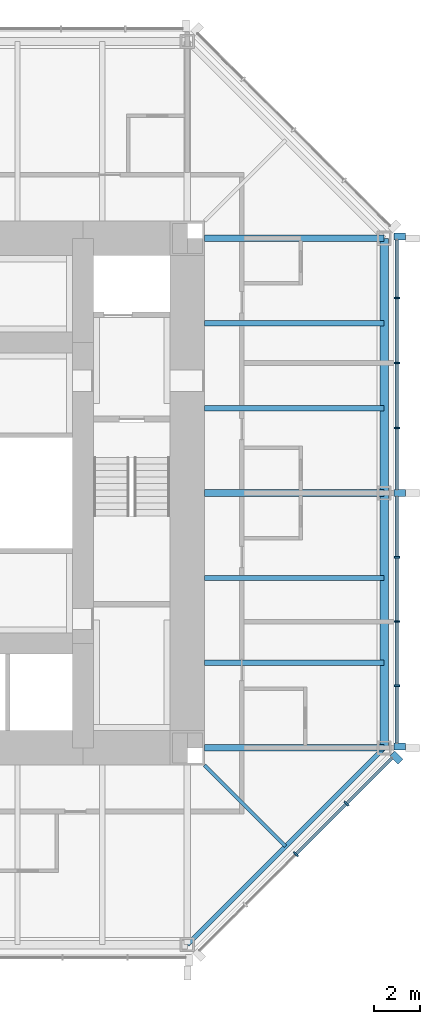
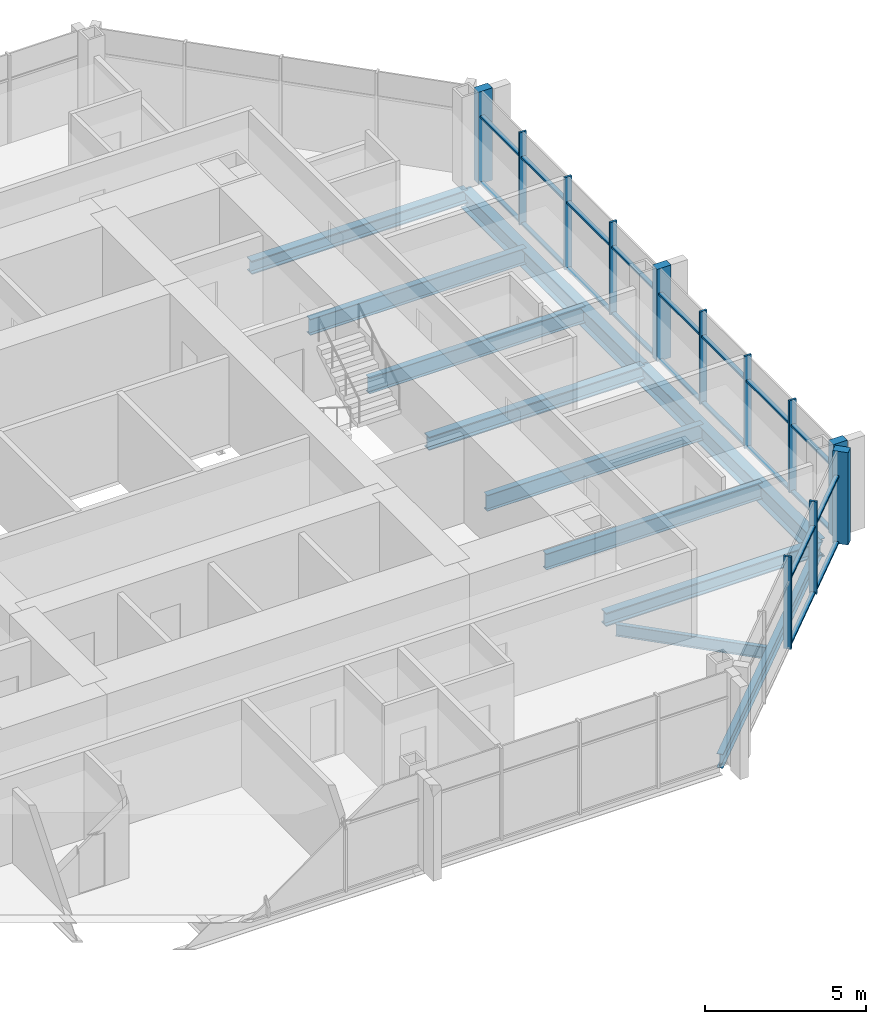
# One storey, part 4 of 11: 32 members, 11 beams, 2 elements without a shape of their own.
"""IFC4 building model written with IfcOpenShell, lengths in metres."""

from ifc_helpers import new_model, si_unit, direction, frame, origin, origin_2d, place, context, subcontext, project, spatial, rectangle, i_section, extrude, material, material_profile, profile_set, type_object, element, aggregate, save


model = new_model("IFC4")

# Units and contexts
model_context = context("Model", 3, precision=1e-05, world=origin(), true_north=direction((0.0, 1.0)))
body_context = subcontext(model_context, "Body", "Model", "MODEL_VIEW")
ifc_project = project(units=[si_unit("LENGTHUNIT", "METRE"), si_unit("AREAUNIT", "SQUARE_METRE"), si_unit("VOLUMEUNIT", "CUBIC_METRE"), si_unit("PLANEANGLEUNIT", "RADIAN"), si_unit("MASSUNIT", "GRAM", prefix="KILO")], contexts=[model_context])

# Site, building, storey
site_placement = place(None, origin())
site = spatial("IfcSite", under=ifc_project, at=site_placement, CompositionType="ELEMENT")
building_placement = place(site_placement, origin())
building = spatial("IfcBuilding", under=site, at=building_placement, Name="Trevanion Tower", CompositionType="ELEMENT")
storey_placement = place(building_placement, frame((0.0, 0.0, 211.699951171875)))
storey = spatial("IfcBuildingStorey", under=building, at=storey_placement, Name="L50", CompositionType="ELEMENT", Elevation=211.699951171875)

# Beams
ifc_material_1 = material(Name="Steel ASTM A992 Grade 50", Category="steel")
ifc_material_profile_1 = material_profile(ifc_material_1, i_section(OverallWidth=0.228271484375, OverallDepth=0.607177734375, WebThickness=0.01123046875, FlangeThickness=0.017333984375, at=origin_2d()), Name="W24X76")
ifc_profile_set_1 = profile_set([ifc_material_profile_1], Name="Steel ASTM A992 Grade 50")
beam_type_1 = type_object("IfcBeamType", Name="B11 W24X76", PredefinedType="BEAM", material=ifc_profile_set_1)
for number, where, z_axis, x_axis, name in (
    (1, (11.75, -7.333251953125, -0.493408203125), (1.0, 0.0, 0.0), (0.0, 1.0, 0.0), "B11 L50"),
    (2, (11.75, -3.666748046875, -0.493408203125), (1.0, 0.0, 0.0), (0.0, 1.0, 0.0), "B11 L50"),
    (3, (11.75, 3.666748046875, -0.493408203125), (1.0, 0.0, 0.0), (0.0, 1.0, 0.0), "B11 L50"),
    (4, (11.75, 7.333251953125, -0.493408203125), (1.0, 0.0, 0.0), (0.0, 1.0, 0.0), "B11 L50"),
):
    element("IfcBeam", number, at=place(storey_placement, frame(where, z_axis=z_axis, x_axis=x_axis)), inside=storey, type_object=beam_type_1, Name=name, PredefinedType="BEAM", context=body_context, shape_type="SweptSolid", body=[
        extrude(i_section(OverallWidth=0.228271484375, OverallDepth=0.607177734375, WebThickness=0.01123046875, FlangeThickness=0.017333984375, at=origin_2d()), origin(), (0.0, 0.0, 1.0), 7.75),
    ])
ifc_material_2 = material(Name="Steel ASTM A992 Grade 50", Category="steel")
ifc_material_profile_2 = material_profile(ifc_material_2, i_section(OverallWidth=0.15234375, OverallDepth=0.449462890625, WebThickness=0.007568359375, FlangeThickness=0.0107421875, at=origin_2d()), Name="W18X35")
ifc_profile_set_2 = profile_set([ifc_material_profile_2], Name="Steel ASTM A992 Grade 50")
beam_type_2 = type_object("IfcBeamType", Name="B12 W18X35", PredefinedType="BEAM", material=ifc_profile_set_2)
beam_1_placement = place(storey_placement, frame((11.75, -11.75, -0.414794921875), z_axis=(0.707106781187, -0.707106781187, 0.0), x_axis=(0.707106781187, 0.707106781187, 0.0)))
element("IfcBeam", 5, at=beam_1_placement, inside=storey, type_object=beam_type_2, Name="B12 L50", PredefinedType="BEAM", context=body_context, shape_type="SweptSolid", body=[
    extrude(i_section(OverallWidth=0.15234375, OverallDepth=0.449462890625, WebThickness=0.007568359375, FlangeThickness=0.0107421875, at=origin_2d()), origin(), (0.0, 0.0, 1.0), 4.94970703125),
])

# Curtain wall, members
ifc_material_3 = material(Name="Aluminium and glass", Category="aluminium")
curtain_wall_type = type_object("IfcCurtainWallType", Name="CW3 curtain wall", PredefinedType="USERDEFINED", material=ifc_material_3)
curtain_wall_1_placement = place(storey_placement, origin())
curtain_wall_1 = element("IfcCurtainWall", 6, at=curtain_wall_1_placement, inside=storey, type_object=curtain_wall_type, Name="CW3 L50 0", ObjectType="UNITISED CURTAIN WALL", PredefinedType="USERDEFINED")
ifc_material_4 = material(Name="Aluminium extrusion, anodised bronze", Category="aluminium")
ifc_material_profile_3 = material_profile(ifc_material_4, rectangle(XDim=0.074951171875, YDim=0.25, at=origin_2d()), Name="CW3 mullion")
ifc_profile_set_3 = profile_set([ifc_material_profile_3], Name="Aluminium extrusion, anodised bronze")
member_type_1 = type_object("IfcMemberType", Name="CW3 mullion", PredefinedType="MULLION", material=ifc_profile_set_3)
member_1_placement = place(storey_placement, frame((20.050048828125, -8.323486328125, -0.18994140625), z_axis=(0.0, 0.0, 1.0), x_axis=(0.0, 1.0, 0.0)))
member_1 = element("IfcMember", 7, at=member_1_placement, type_object=member_type_1, Name="CW3 mullion 2", PredefinedType="MULLION", context=body_context, shape_type="SweptSolid", body=[
    extrude(rectangle(XDim=0.074951171875, YDim=0.25, at=origin_2d()), origin(), (0.0, 0.0, 1.0), 3.5),
])
member_2_placement = place(storey_placement, frame((20.050048828125, -5.548828125, -0.18994140625), z_axis=(0.0, 0.0, 1.0), x_axis=(0.0, 1.0, 0.0)))
member_2 = element("IfcMember", 8, at=member_2_placement, type_object=member_type_1, Name="CW3 mullion 3", PredefinedType="MULLION", context=body_context, shape_type="SweptSolid", body=[
    extrude(rectangle(XDim=0.074951171875, YDim=0.25, at=origin_2d()), origin(), (0.0, 0.0, 1.0), 3.5),
])
member_3_placement = place(storey_placement, frame((20.050048828125, -2.7744140625, -0.18994140625), z_axis=(0.0, 0.0, 1.0), x_axis=(0.0, 1.0, 0.0)))
member_3 = element("IfcMember", 9, at=member_3_placement, type_object=member_type_1, Name="CW3 mullion 4", PredefinedType="MULLION", context=body_context, shape_type="SweptSolid", body=[
    extrude(rectangle(XDim=0.074951171875, YDim=0.25, at=origin_2d()), origin(), (0.0, 0.0, 1.0), 3.5),
])
member_4_placement = place(storey_placement, frame((20.050048828125, 2.806884765625, -0.18994140625), z_axis=(0.0, 0.0, 1.0), x_axis=(0.0, 1.0, 0.0)))
member_4 = element("IfcMember", 10, at=member_4_placement, type_object=member_type_1, Name="CW3 mullion 6", PredefinedType="MULLION", context=body_context, shape_type="SweptSolid", body=[
    extrude(rectangle(XDim=0.074951171875, YDim=0.25, at=origin_2d()), origin(), (0.0, 0.0, 1.0), 3.5),
])
member_5_placement = place(storey_placement, frame((20.050048828125, 5.614013671875, -0.18994140625), z_axis=(0.0, 0.0, 1.0), x_axis=(0.0, 1.0, 0.0)))
member_5 = element("IfcMember", 11, at=member_5_placement, type_object=member_type_1, Name="CW3 mullion 7", PredefinedType="MULLION", context=body_context, shape_type="SweptSolid", body=[
    extrude(rectangle(XDim=0.074951171875, YDim=0.25, at=origin_2d()), origin(), (0.0, 0.0, 1.0), 3.5),
])
member_6_placement = place(storey_placement, frame((20.050048828125, 8.4208984375, -0.18994140625), z_axis=(0.0, 0.0, 1.0), x_axis=(0.0, 1.0, 0.0)))
member_6 = element("IfcMember", 12, at=member_6_placement, type_object=member_type_1, Name="CW3 mullion 8", PredefinedType="MULLION", context=body_context, shape_type="SweptSolid", body=[
    extrude(rectangle(XDim=0.074951171875, YDim=0.25, at=origin_2d()), origin(), (0.0, 0.0, 1.0), 3.5),
])

curtain_wall_2_placement = place(storey_placement, origin())
curtain_wall_2 = element("IfcCurtainWall", 13, at=curtain_wall_2_placement, inside=storey, type_object=curtain_wall_type, Name="CW3 L50 7", ObjectType="UNITISED CURTAIN WALL", PredefinedType="USERDEFINED")
member_7_placement = place(storey_placement, frame((15.684814453125, -15.593017578125, -0.18994140625), z_axis=(0.0, 0.0, 1.0), x_axis=(0.707106781187, 0.707106781187, 0.0)))
member_7 = element("IfcMember", 14, at=member_7_placement, type_object=member_type_1, Name="CW3 mullion 3", PredefinedType="MULLION", context=body_context, shape_type="SweptSolid", body=[
    extrude(rectangle(XDim=0.074951171875, YDim=0.25, at=origin_2d()), origin(), (0.0, 0.0, 1.0), 3.5),
])
member_8_placement = place(storey_placement, frame((17.867431640625, -13.410400390625, -0.18994140625), z_axis=(0.0, 0.0, 1.0), x_axis=(0.707106781187, 0.707106781187, 0.0)))
member_8 = element("IfcMember", 15, at=member_8_placement, type_object=member_type_1, Name="CW3 mullion 4", PredefinedType="MULLION", context=body_context, shape_type="SweptSolid", body=[
    extrude(rectangle(XDim=0.074951171875, YDim=0.25, at=origin_2d()), origin(), (0.0, 0.0, 1.0), 3.5),
])

# Member
ifc_material_5 = material(Name="Aluminium extrusion, anodised bronze", Category="aluminium")
ifc_material_profile_4 = material_profile(ifc_material_5, rectangle(XDim=0.300048828125, YDim=0.5, at=origin_2d()), Name="CW3 pier mullion")
ifc_profile_set_4 = profile_set([ifc_material_profile_4], Name="Aluminium extrusion, anodised bronze")
member_type_2 = type_object("IfcMemberType", Name="CW3 pier mullion", PredefinedType="MULLION", material=ifc_profile_set_4)
member_9_placement = place(storey_placement, frame((20.175048828125, -10.94775390625, -0.18994140625), z_axis=(0.0, 0.0, 1.0), x_axis=(0.0, 1.0, 0.0)))
member_9 = element("IfcMember", 16, at=member_9_placement, type_object=member_type_2, Name="CW3 pier mullion 1", PredefinedType="MULLION", context=body_context, shape_type="SweptSolid", body=[
    extrude(rectangle(XDim=0.300048828125, YDim=0.5, at=origin_2d()), origin(), (0.0, 0.0, 1.0), 3.5),
])

member_10_placement = place(storey_placement, frame((20.175048828125, 0.0, -0.18994140625), z_axis=(0.0, 0.0, 1.0), x_axis=(0.0, 1.0, 0.0)))
member_10 = element("IfcMember", 17, at=member_10_placement, type_object=member_type_2, Name="CW3 pier mullion 5", PredefinedType="MULLION", context=body_context, shape_type="SweptSolid", body=[
    extrude(rectangle(XDim=0.300048828125, YDim=0.5, at=origin_2d()), origin(), (0.0, 0.0, 1.0), 3.5),
])

member_11_placement = place(storey_placement, frame((20.175048828125, 11.077880859375, -0.18994140625), z_axis=(0.0, 0.0, 1.0), x_axis=(0.0, 1.0, 0.0)))
member_11 = element("IfcMember", 18, at=member_11_placement, type_object=member_type_2, Name="CW3 pier mullion 9", PredefinedType="MULLION", context=body_context, shape_type="SweptSolid", body=[
    extrude(rectangle(XDim=0.300048828125, YDim=0.5, at=origin_2d()), origin(), (0.0, 0.0, 1.0), 3.5),
])

member_12_placement = place(storey_placement, frame((20.0322265625, -11.42236328125, -0.18994140625), z_axis=(0.0, 0.0, 1.0), x_axis=(0.707106781187, 0.707106781187, 0.0)))
member_12 = element("IfcMember", 19, at=member_12_placement, type_object=member_type_2, Name="CW3 pier mullion 5", PredefinedType="MULLION", context=body_context, shape_type="SweptSolid", body=[
    extrude(rectangle(XDim=0.300048828125, YDim=0.5, at=origin_2d()), origin(), (0.0, 0.0, 1.0), 3.5),
])

ifc_material_6 = material(Name="Aluminium extrusion, anodised bronze", Category="aluminium")
ifc_material_profile_5 = material_profile(ifc_material_6, rectangle(XDim=0.14990234375, YDim=0.074951171875, at=origin_2d()), Name="CW3 transom")
ifc_profile_set_5 = profile_set([ifc_material_profile_5], Name="Aluminium extrusion, anodised bronze")
member_type_3 = type_object("IfcMemberType", Name="CW3 transom", PredefinedType="USERDEFINED", material=ifc_profile_set_5)
member_13_placement = place(storey_placement, frame((20.050048828125, -10.7978515625, -0.15234375), z_axis=(0.0, 1.0, 0.0), x_axis=(-1.0, 0.0, 0.0)))
member_13 = element("IfcMember", 20, at=member_13_placement, type_object=member_type_3, Name="CW3 transom 1.1", ObjectType="TRANSOM", PredefinedType="USERDEFINED", context=body_context, shape_type="SweptSolid", body=[
    extrude(rectangle(XDim=0.14990234375, YDim=0.074951171875, at=origin_2d()), origin(), (0.0, 0.0, 1.0), 2.43701171875),
])

member_14_placement = place(storey_placement, frame((20.050048828125, -10.7978515625, 2.360107421875), z_axis=(0.0, 1.0, 0.0), x_axis=(-1.0, 0.0, 0.0)))
member_14 = element("IfcMember", 21, at=member_14_placement, type_object=member_type_3, Name="CW3 transom 1.2", ObjectType="TRANSOM", PredefinedType="USERDEFINED", context=body_context, shape_type="SweptSolid", body=[
    extrude(rectangle(XDim=0.14990234375, YDim=0.074951171875, at=origin_2d()), origin(), (0.0, 0.0, 1.0), 2.43701171875),
])

member_15_placement = place(storey_placement, frame((20.050048828125, -8.285888671875, -0.15234375), z_axis=(0.0, 1.0, 0.0), x_axis=(-1.0, 0.0, 0.0)))
member_15 = element("IfcMember", 22, at=member_15_placement, type_object=member_type_3, Name="CW3 transom 2.1", ObjectType="TRANSOM", PredefinedType="USERDEFINED", context=body_context, shape_type="SweptSolid", body=[
    extrude(rectangle(XDim=0.14990234375, YDim=0.074951171875, at=origin_2d()), origin(), (0.0, 0.0, 1.0), 2.699462890625),
])

member_16_placement = place(storey_placement, frame((20.050048828125, -8.285888671875, 2.360107421875), z_axis=(0.0, 1.0, 0.0), x_axis=(-1.0, 0.0, 0.0)))
member_16 = element("IfcMember", 23, at=member_16_placement, type_object=member_type_3, Name="CW3 transom 2.2", ObjectType="TRANSOM", PredefinedType="USERDEFINED", context=body_context, shape_type="SweptSolid", body=[
    extrude(rectangle(XDim=0.14990234375, YDim=0.074951171875, at=origin_2d()), origin(), (0.0, 0.0, 1.0), 2.699462890625),
])

member_17_placement = place(storey_placement, frame((20.050048828125, -5.511474609375, -0.15234375), z_axis=(0.0, 1.0, 0.0), x_axis=(-1.0, 0.0, 0.0)))
member_17 = element("IfcMember", 24, at=member_17_placement, type_object=member_type_3, Name="CW3 transom 3.1", ObjectType="TRANSOM", PredefinedType="USERDEFINED", context=body_context, shape_type="SweptSolid", body=[
    extrude(rectangle(XDim=0.14990234375, YDim=0.074951171875, at=origin_2d()), origin(), (0.0, 0.0, 1.0), 2.699462890625),
])

member_18_placement = place(storey_placement, frame((20.050048828125, -5.511474609375, 2.360107421875), z_axis=(0.0, 1.0, 0.0), x_axis=(-1.0, 0.0, 0.0)))
member_18 = element("IfcMember", 25, at=member_18_placement, type_object=member_type_3, Name="CW3 transom 3.2", ObjectType="TRANSOM", PredefinedType="USERDEFINED", context=body_context, shape_type="SweptSolid", body=[
    extrude(rectangle(XDim=0.14990234375, YDim=0.074951171875, at=origin_2d()), origin(), (0.0, 0.0, 1.0), 2.699462890625),
])

member_19_placement = place(storey_placement, frame((20.050048828125, -2.737060546875, -0.15234375), z_axis=(0.0, 1.0, 0.0), x_axis=(-1.0, 0.0, 0.0)))
member_19 = element("IfcMember", 26, at=member_19_placement, type_object=member_type_3, Name="CW3 transom 4.1", ObjectType="TRANSOM", PredefinedType="USERDEFINED", context=body_context, shape_type="SweptSolid", body=[
    extrude(rectangle(XDim=0.14990234375, YDim=0.074951171875, at=origin_2d()), origin(), (0.0, 0.0, 1.0), 2.587158203125),
])

member_20_placement = place(storey_placement, frame((20.050048828125, -2.737060546875, 2.360107421875), z_axis=(0.0, 1.0, 0.0), x_axis=(-1.0, 0.0, 0.0)))
member_20 = element("IfcMember", 27, at=member_20_placement, type_object=member_type_3, Name="CW3 transom 4.2", ObjectType="TRANSOM", PredefinedType="USERDEFINED", context=body_context, shape_type="SweptSolid", body=[
    extrude(rectangle(XDim=0.14990234375, YDim=0.074951171875, at=origin_2d()), origin(), (0.0, 0.0, 1.0), 2.587158203125),
])

member_21_placement = place(storey_placement, frame((20.050048828125, 0.14990234375, -0.15234375), z_axis=(0.0, 1.0, 0.0), x_axis=(-1.0, 0.0, 0.0)))
member_21 = element("IfcMember", 28, at=member_21_placement, type_object=member_type_3, Name="CW3 transom 5.1", ObjectType="TRANSOM", PredefinedType="USERDEFINED", context=body_context, shape_type="SweptSolid", body=[
    extrude(rectangle(XDim=0.14990234375, YDim=0.074951171875, at=origin_2d()), origin(), (0.0, 0.0, 1.0), 2.619384765625),
])

member_22_placement = place(storey_placement, frame((20.050048828125, 0.14990234375, 2.360107421875), z_axis=(0.0, 1.0, 0.0), x_axis=(-1.0, 0.0, 0.0)))
member_22 = element("IfcMember", 29, at=member_22_placement, type_object=member_type_3, Name="CW3 transom 5.2", ObjectType="TRANSOM", PredefinedType="USERDEFINED", context=body_context, shape_type="SweptSolid", body=[
    extrude(rectangle(XDim=0.14990234375, YDim=0.074951171875, at=origin_2d()), origin(), (0.0, 0.0, 1.0), 2.619384765625),
])

member_23_placement = place(storey_placement, frame((20.050048828125, 2.844482421875, -0.15234375), z_axis=(0.0, 1.0, 0.0), x_axis=(-1.0, 0.0, 0.0)))
member_23 = element("IfcMember", 30, at=member_23_placement, type_object=member_type_3, Name="CW3 transom 6.1", ObjectType="TRANSOM", PredefinedType="USERDEFINED", context=body_context, shape_type="SweptSolid", body=[
    extrude(rectangle(XDim=0.14990234375, YDim=0.074951171875, at=origin_2d()), origin(), (0.0, 0.0, 1.0), 2.73193359375),
])

member_24_placement = place(storey_placement, frame((20.050048828125, 2.844482421875, 2.360107421875), z_axis=(0.0, 1.0, 0.0), x_axis=(-1.0, 0.0, 0.0)))
member_24 = element("IfcMember", 31, at=member_24_placement, type_object=member_type_3, Name="CW3 transom 6.2", ObjectType="TRANSOM", PredefinedType="USERDEFINED", context=body_context, shape_type="SweptSolid", body=[
    extrude(rectangle(XDim=0.14990234375, YDim=0.074951171875, at=origin_2d()), origin(), (0.0, 0.0, 1.0), 2.73193359375),
])

member_25_placement = place(storey_placement, frame((20.050048828125, 5.6513671875, -0.15234375), z_axis=(0.0, 1.0, 0.0), x_axis=(-1.0, 0.0, 0.0)))
member_25 = element("IfcMember", 32, at=member_25_placement, type_object=member_type_3, Name="CW3 transom 7.1", ObjectType="TRANSOM", PredefinedType="USERDEFINED", context=body_context, shape_type="SweptSolid", body=[
    extrude(rectangle(XDim=0.14990234375, YDim=0.074951171875, at=origin_2d()), origin(), (0.0, 0.0, 1.0), 2.73193359375),
])

member_26_placement = place(storey_placement, frame((20.050048828125, 5.6513671875, 2.360107421875), z_axis=(0.0, 1.0, 0.0), x_axis=(-1.0, 0.0, 0.0)))
member_26 = element("IfcMember", 33, at=member_26_placement, type_object=member_type_3, Name="CW3 transom 7.2", ObjectType="TRANSOM", PredefinedType="USERDEFINED", context=body_context, shape_type="SweptSolid", body=[
    extrude(rectangle(XDim=0.14990234375, YDim=0.074951171875, at=origin_2d()), origin(), (0.0, 0.0, 1.0), 2.73193359375),
])

member_27_placement = place(storey_placement, frame((20.050048828125, 8.45849609375, -0.15234375), z_axis=(0.0, 1.0, 0.0), x_axis=(-1.0, 0.0, 0.0)))
member_27 = element("IfcMember", 34, at=member_27_placement, type_object=member_type_3, Name="CW3 transom 8.1", ObjectType="TRANSOM", PredefinedType="USERDEFINED", context=body_context, shape_type="SweptSolid", body=[
    extrude(rectangle(XDim=0.14990234375, YDim=0.074951171875, at=origin_2d()), origin(), (0.0, 0.0, 1.0), 2.46923828125),
])

member_28_placement = place(storey_placement, frame((20.050048828125, 8.45849609375, 2.360107421875), z_axis=(0.0, 1.0, 0.0), x_axis=(-1.0, 0.0, 0.0)))
member_28 = element("IfcMember", 35, at=member_28_placement, type_object=member_type_3, Name="CW3 transom 8.2", ObjectType="TRANSOM", PredefinedType="USERDEFINED", context=body_context, shape_type="SweptSolid", body=[
    extrude(rectangle(XDim=0.14990234375, YDim=0.074951171875, at=origin_2d()), origin(), (0.0, 0.0, 1.0), 2.46923828125),
])

aggregate(curtain_wall_1, [member_9, member_1, member_2, member_3, member_10, member_4, member_5, member_6, member_11, member_13, member_14, member_15, member_16, member_17, member_18, member_19, member_20, member_21, member_22, member_23, member_24, member_25, member_26, member_27, member_28])

member_29_placement = place(storey_placement, frame((15.71142578125, -15.56640625, -0.15234375), z_axis=(0.707106781187, 0.707106781187, 0.0), x_axis=(-0.707106781187, 0.707106781187, 0.0)))
member_29 = element("IfcMember", 36, at=member_29_placement, type_object=member_type_3, Name="CW3 transom 3.1", ObjectType="TRANSOM", PredefinedType="USERDEFINED", context=body_context, shape_type="SweptSolid", body=[
    extrude(rectangle(XDim=0.14990234375, YDim=0.074951171875, at=origin_2d()), origin(), (0.0, 0.0, 1.0), 3.011474609375),
])

member_30_placement = place(storey_placement, frame((15.71142578125, -15.56640625, 2.360107421875), z_axis=(0.707106781187, 0.707106781187, 0.0), x_axis=(-0.707106781187, 0.707106781187, 0.0)))
member_30 = element("IfcMember", 37, at=member_30_placement, type_object=member_type_3, Name="CW3 transom 3.2", ObjectType="TRANSOM", PredefinedType="USERDEFINED", context=body_context, shape_type="SweptSolid", body=[
    extrude(rectangle(XDim=0.14990234375, YDim=0.074951171875, at=origin_2d()), origin(), (0.0, 0.0, 1.0), 3.011474609375),
])

member_31_placement = place(storey_placement, frame((17.89404296875, -13.3837890625, -0.15234375), z_axis=(0.707106781187, 0.707106781187, 0.0), x_axis=(-0.707106781187, 0.707106781187, 0.0)))
member_31 = element("IfcMember", 38, at=member_31_placement, type_object=member_type_3, Name="CW3 transom 4.1", ObjectType="TRANSOM", PredefinedType="USERDEFINED", context=body_context, shape_type="SweptSolid", body=[
    extrude(rectangle(XDim=0.14990234375, YDim=0.074951171875, at=origin_2d()), origin(), (0.0, 0.0, 1.0), 2.7490234375),
])

member_32_placement = place(storey_placement, frame((17.89404296875, -13.3837890625, 2.360107421875), z_axis=(0.707106781187, 0.707106781187, 0.0), x_axis=(-0.707106781187, 0.707106781187, 0.0)))
member_32 = element("IfcMember", 39, at=member_32_placement, type_object=member_type_3, Name="CW3 transom 4.2", ObjectType="TRANSOM", PredefinedType="USERDEFINED", context=body_context, shape_type="SweptSolid", body=[
    extrude(rectangle(XDim=0.14990234375, YDim=0.074951171875, at=origin_2d()), origin(), (0.0, 0.0, 1.0), 2.7490234375),
])

aggregate(curtain_wall_2, [member_7, member_8, member_12, member_29, member_30, member_31, member_32])

# Beams
ifc_material_7 = material(Name="Steel ASTM A992 Grade 50", Category="steel")
ifc_material_profile_6 = material_profile(ifc_material_7, i_section(OverallWidth=0.28955078125, OverallDepth=0.508056640625, WebThickness=0.022705078125, FlangeThickness=0.040283203125, at=origin_2d()), Name="W18X175")
ifc_profile_set_6 = profile_set([ifc_material_profile_6], Name="Steel ASTM A992 Grade 50")
beam_type_3 = type_object("IfcBeamType", Name="G6 W18X175", PredefinedType="BEAM", material=ifc_profile_set_6)
for number, where, z_axis, x_axis, name in (
    (40, (11.75, -11.0, -0.44384765625), (1.0, 0.0, 0.0), (0.0, 1.0, 0.0), "G6 L50"),
    (41, (11.75, 0.0, -0.44384765625), (1.0, 0.0, 0.0), (0.0, 1.0, 0.0), "G6 L50"),
    (42, (11.75, 11.0, -0.44384765625), (1.0, 0.0, 0.0), (0.0, 1.0, 0.0), "G6 L50"),
):
    element("IfcBeam", number, at=place(storey_placement, frame(where, z_axis=z_axis, x_axis=x_axis)), inside=storey, type_object=beam_type_3, Name=name, PredefinedType="BEAM", context=body_context, shape_type="SweptSolid", body=[
        extrude(i_section(OverallWidth=0.28955078125, OverallDepth=0.508056640625, WebThickness=0.022705078125, FlangeThickness=0.040283203125, at=origin_2d()), origin(), (0.0, 0.0, 1.0), 7.75),
    ])
ifc_material_8 = material(Name="Steel ASTM A992 Grade 50", Category="steel")
ifc_material_profile_7 = material_profile(ifc_material_8, i_section(OverallWidth=0.355712890625, OverallDepth=0.696044921875, WebThickness=0.015380859375, FlangeThickness=0.024658203125, at=origin_2d()), Name="W27X146")
ifc_profile_set_7 = profile_set([ifc_material_profile_7], Name="Steel ASTM A992 Grade 50")
beam_type_4 = type_object("IfcBeamType", Name="SB8 W27X146", PredefinedType="SPANDREL", material=ifc_profile_set_7)
for number, where, z_axis, x_axis, name in (
    (43, (19.5, -11.0, -0.537841796875), (0.0, 1.0, 0.0), (-1.0, 0.0, 0.0), "SB8 L50"),
    (44, (19.5, 0.0, -0.537841796875), (0.0, 1.0, 0.0), (-1.0, 0.0, 0.0), "SB8 L50"),
):
    element("IfcBeam", number, at=place(storey_placement, frame(where, z_axis=z_axis, x_axis=x_axis)), inside=storey, type_object=beam_type_4, Name=name, PredefinedType="SPANDREL", context=body_context, shape_type="SweptSolid", body=[
        extrude(i_section(OverallWidth=0.355712890625, OverallDepth=0.696044921875, WebThickness=0.015380859375, FlangeThickness=0.024658203125, at=origin_2d()), origin(), (0.0, 0.0, 1.0), 11.0),
    ])
ifc_material_9 = material(Name="Steel ASTM A992 Grade 50", Category="steel")
ifc_material_profile_8 = material_profile(ifc_material_9, i_section(OverallWidth=0.209228515625, OverallDepth=0.533447265625, WebThickness=0.01025390625, FlangeThickness=0.015625, at=origin_2d()), Name="W21X62")
ifc_profile_set_8 = profile_set([ifc_material_profile_8], Name="Steel ASTM A992 Grade 50")
beam_type_5 = type_object("IfcBeamType", Name="SB9 W21X62", PredefinedType="SPANDREL", material=ifc_profile_set_8)
beam_2_placement = place(storey_placement, frame((11.0, -19.5, -0.45654296875), z_axis=(0.707106781187, 0.707106781187, 0.0), x_axis=(-0.707106781187, 0.707106781187, 0.0)))
element("IfcBeam", 45, at=beam_2_placement, inside=storey, type_object=beam_type_5, Name="SB9 L50", PredefinedType="SPANDREL", context=body_context, shape_type="SweptSolid", body=[
    extrude(i_section(OverallWidth=0.209228515625, OverallDepth=0.533447265625, WebThickness=0.01025390625, FlangeThickness=0.015625, at=origin_2d()), origin(), (0.0, 0.0, 1.0), 12.020751953125),
])

save(model, "model.ifc")
